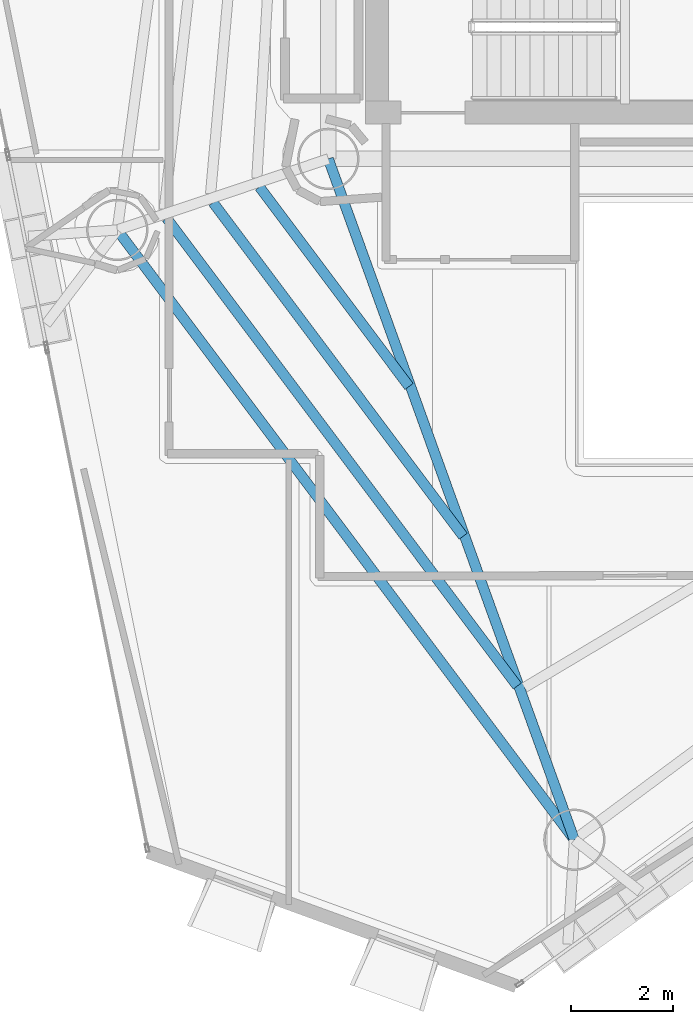
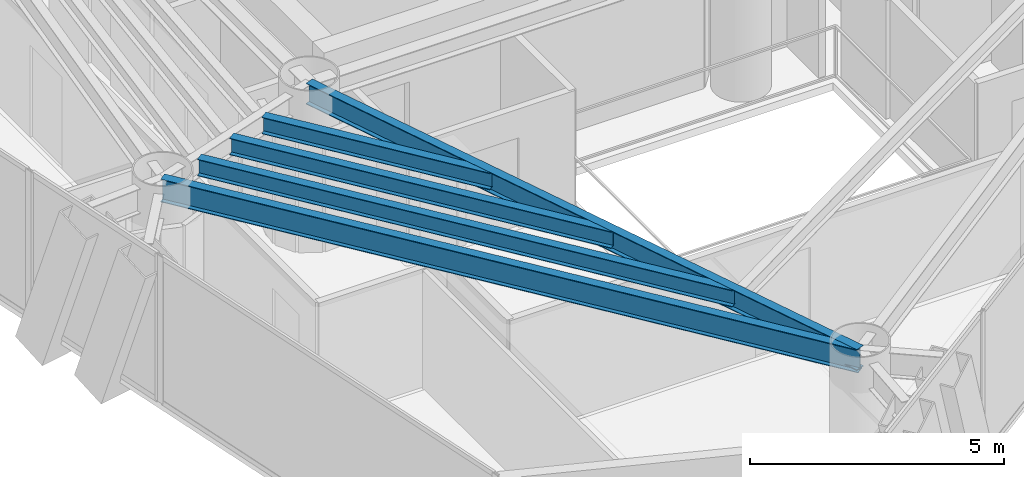
# One storey, part 5 of 22: 5 beams.
"""IFC4 building model written with IfcOpenShell, lengths in metres."""

from ifc_helpers import new_model, si_unit, direction, frame, origin, origin_2d, place, context, subcontext, project, spatial, i_section, extrude, material, material_profile, profile_set, type_object, element, save


model = new_model("IFC4")

# Units and contexts
model_context = context("Model", 3, precision=1e-05, world=origin(), true_north=direction((0.0, 1.0)))
body_context = subcontext(model_context, "Body", "Model", "MODEL_VIEW")
ifc_project = project(units=[si_unit("LENGTHUNIT", "METRE"), si_unit("AREAUNIT", "SQUARE_METRE"), si_unit("VOLUMEUNIT", "CUBIC_METRE"), si_unit("PLANEANGLEUNIT", "RADIAN"), si_unit("MASSUNIT", "GRAM", prefix="KILO")], contexts=[model_context])

# Site, building, storey
site_placement = place(None, origin())
site = spatial("IfcSite", under=ifc_project, at=site_placement, CompositionType="ELEMENT")
building_placement = place(site_placement, origin())
building = spatial("IfcBuilding", under=site, at=building_placement, Name="Qianvela Tower", CompositionType="ELEMENT")
storey_placement = place(building_placement, frame((0.0, 0.0, 200.300048828125)))
storey = spatial("IfcBuildingStorey", under=building, at=storey_placement, Name="L51", CompositionType="ELEMENT", Elevation=200.300048828125)

# Beams
ifc_material_1 = material(Name="Steel Q355B", Category="steel")
ifc_material_profile_1 = material_profile(ifc_material_1, i_section(OverallWidth=0.199951171875, OverallDepth=0.39990234375, WebThickness=0.008056640625, FlangeThickness=0.012939453125, at=origin_2d()), Name="HN400x200x8x13")
ifc_profile_set_1 = profile_set([ifc_material_profile_1], Name="Steel Q355B")
beam_type_1 = type_object("IfcBeamType", Name="BM-HN400-JOIST", PredefinedType="JOIST", material=ifc_profile_set_1)
beam_1_placement = place(storey_placement, frame((27.254150390625, 23.300537109375, 3.31787109375), z_axis=(0.599735620965, -0.800198216035, 0.0), x_axis=(0.800198216035, 0.599735620965, 0.0)))
element("IfcBeam", 1, at=beam_1_placement, inside=storey, type_object=beam_type_1, Name="L51 Secondary Composite Floor Joist 4.1", PredefinedType="JOIST", context=body_context, shape_type="SweptSolid", body=[
    extrude(i_section(OverallWidth=0.199951171875, OverallDepth=0.39990234375, WebThickness=0.008056640625, FlangeThickness=0.012939453125, at=origin_2d()), origin(), (0.0, 0.0, 1.0), 4.87646484375),
])
beam_2_placement = place(storey_placement, frame((26.345947265625, 22.994873046875, 3.31787109375), z_axis=(0.59975572356, -0.800183149071, 0.0), x_axis=(0.800183149071, 0.59975572356, 0.0)))
element("IfcBeam", 2, at=beam_2_placement, inside=storey, type_object=beam_type_1, Name="L51 Secondary Composite Floor Joist 4.2", PredefinedType="JOIST", context=body_context, shape_type="SweptSolid", body=[
    extrude(i_section(OverallWidth=0.199951171875, OverallDepth=0.39990234375, WebThickness=0.008056640625, FlangeThickness=0.012939453125, at=origin_2d()), origin(), (0.0, 0.0, 1.0), 8.156494140625),
])
beam_3_placement = place(storey_placement, frame((25.437744140625, 22.68896484375, 3.31787109375), z_axis=(0.599760871552, -0.800179290507, 0.0), x_axis=(0.800179290507, 0.599760871552, 0.0)))
element("IfcBeam", 3, at=beam_3_placement, inside=storey, type_object=beam_type_1, Name="L51 Secondary Composite Floor Joist 4.3", PredefinedType="JOIST", context=body_context, shape_type="SweptSolid", body=[
    extrude(i_section(OverallWidth=0.199951171875, OverallDepth=0.39990234375, WebThickness=0.008056640625, FlangeThickness=0.012939453125, at=origin_2d()), origin(), (0.0, 0.0, 1.0), 11.43603515625),
])
ifc_material_2 = material(Name="Steel Q355B", Category="steel")
ifc_material_profile_2 = material_profile(ifc_material_2, i_section(OverallWidth=0.199951171875, OverallDepth=0.5, WebThickness=0.010009765625, FlangeThickness=0.01611328125, at=origin_2d()), Name="HN500x200x10x16")
ifc_profile_set_2 = profile_set([ifc_material_profile_2], Name="Steel Q355B")
beam_type_2 = type_object("IfcBeamType", Name="BM-HN500-GIRD", PredefinedType="BEAM", material=ifc_profile_set_2)
beam_4_placement = place(storey_placement, frame((28.60009765625, 23.85009765625, 3.26806640625), z_axis=(0.339851607149, -0.940479072132, 0.0), x_axis=(0.940479072132, 0.339851607149, 0.0)))
element("IfcBeam", 4, at=beam_4_placement, inside=storey, type_object=beam_type_2, Name="L51 Radial Primary Floor Girder 5", PredefinedType="BEAM", context=body_context, shape_type="SweptSolid", body=[
    extrude(i_section(OverallWidth=0.199951171875, OverallDepth=0.5, WebThickness=0.010009765625, FlangeThickness=0.01611328125, at=origin_2d()), origin(), (0.0, 0.0, 1.0), 14.162109375),
])
ifc_material_3 = material(Name="Steel Q355B", Category="steel")
ifc_material_profile_3 = material_profile(ifc_material_3, i_section(OverallWidth=0.199951171875, OverallDepth=0.550048828125, WebThickness=0.010009765625, FlangeThickness=0.01611328125, at=origin_2d()), Name="HN550x200x10x16")
ifc_profile_set_3 = profile_set([ifc_material_profile_3], Name="Steel Q355B")
beam_type_3 = type_object("IfcBeamType", Name="BM-HN550-GIRD", PredefinedType="BEAM", material=ifc_profile_set_3)
beam_5_placement = place(storey_placement, frame((24.471923828125, 22.4599609375, 3.242919921875), z_axis=(0.599761529533, -0.800178797327, 0.0), x_axis=(0.800178797327, 0.599761529533, 0.0)))
element("IfcBeam", 5, at=beam_5_placement, inside=storey, type_object=beam_type_3, Name="L51 Perimeter Ring Spandrel Girder 4", PredefinedType="BEAM", context=body_context, shape_type="SweptSolid", body=[
    extrude(i_section(OverallWidth=0.199951171875, OverallDepth=0.550048828125, WebThickness=0.010009765625, FlangeThickness=0.01611328125, at=origin_2d()), origin(), (0.0, 0.0, 1.0), 14.907958984375),
])

save(model, "model.ifc")
